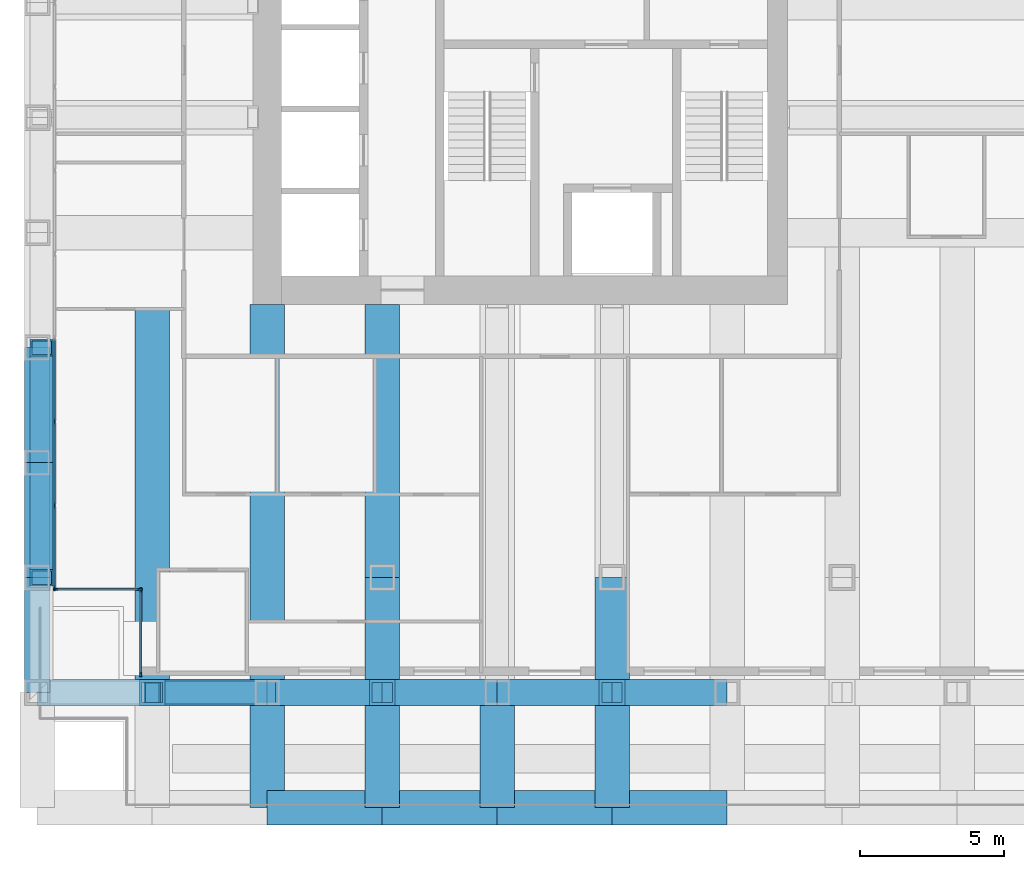
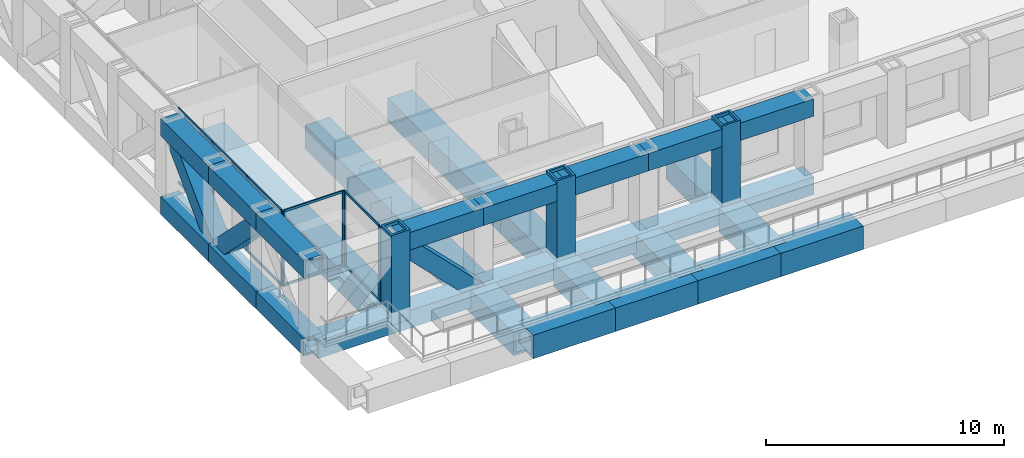
# One storey, part 2 of 18: 27 beams, 23 members, 3 elements without a shape of their own.
"""IFC4 building model written with IfcOpenShell, lengths in metres."""

from ifc_helpers import new_model, si_unit, direction, frame, origin, origin_2d, place, context, subcontext, project, spatial, rectangle, hollow_rectangle, extrude, material, material_profile, profile_set, type_object, element, aggregate, save


model = new_model("IFC4")

# Units and contexts
model_context = context("Model", 3, precision=1e-05, world=origin(), true_north=direction((0.0, 1.0)))
body_context = subcontext(model_context, "Body", "Model", "MODEL_VIEW")
ifc_project = project(units=[si_unit("LENGTHUNIT", "METRE"), si_unit("AREAUNIT", "SQUARE_METRE"), si_unit("VOLUMEUNIT", "CUBIC_METRE"), si_unit("PLANEANGLEUNIT", "RADIAN"), si_unit("MASSUNIT", "GRAM", prefix="KILO")], contexts=[model_context])

# Site, building, storey
site_placement = place(None, origin())
site = spatial("IfcSite", under=ifc_project, at=site_placement, CompositionType="ELEMENT")
building_placement = place(site_placement, origin())
building = spatial("IfcBuilding", under=site, at=building_placement, Name="Rimbunsela Tower", CompositionType="ELEMENT")
storey_placement = place(building_placement, frame((0.0, 0.0, 105.39990234375)))
storey = spatial("IfcBuildingStorey", under=building, at=storey_placement, Name="L25", CompositionType="ELEMENT", Elevation=105.39990234375)

# Beams
ifc_material_1 = material(Name="Steel BJ 55 (fy 410 MPa)", Category="steel")
ifc_material_profile_1 = material_profile(ifc_material_1, hollow_rectangle(XDim=1.199951171875, YDim=1.199951171875, WallThickness=0.10009765625, at=origin_2d()), Name="BOX 1200x1200x100")
ifc_profile_set_1 = profile_set([ifc_material_profile_1], Name="Steel BJ 55 (fy 410 MPa)")
beam_type_1 = type_object("IfcBeamType", Name="Beam BOX 1200x1200x100", PredefinedType="BEAM", material=ifc_profile_set_1)
beam_1_placement = place(storey_placement, frame((18.0, 4.0, -0.75), z_axis=(0.0, 1.0, 0.0), x_axis=(-1.0, 0.0, 0.0)))
element("IfcBeam", 1, at=beam_1_placement, inside=storey, type_object=beam_type_1, Name="Beam B5 L25", PredefinedType="BEAM", context=body_context, shape_type="SweptSolid", body=[
    extrude(hollow_rectangle(XDim=1.199951171875, YDim=1.199951171875, WallThickness=0.10009765625, at=origin_2d()), origin(), (0.0, 0.0, 1.0), 13.5),
])
beam_2_placement = place(storey_placement, frame((22.0, 4.449951171875, -0.75), z_axis=(0.0, 1.0, 0.0), x_axis=(-1.0, 0.0, 0.0)))
element("IfcBeam", 2, at=beam_2_placement, inside=storey, type_object=beam_type_1, Name="Beam B5 L25", PredefinedType="BEAM", context=body_context, shape_type="SweptSolid", body=[
    extrude(hollow_rectangle(XDim=1.199951171875, YDim=1.199951171875, WallThickness=0.10009765625, at=origin_2d()), origin(), (0.0, 0.0, 1.0), 3.550048828125),
])
beam_3_placement = place(storey_placement, frame((22.0, 8.0, -0.75), z_axis=(0.0, 1.0, 0.0), x_axis=(-1.0, 0.0, 0.0)))
element("IfcBeam", 3, at=beam_3_placement, inside=storey, type_object=beam_type_1, Name="Beam B5 L25", PredefinedType="BEAM", context=body_context, shape_type="SweptSolid", body=[
    extrude(hollow_rectangle(XDim=1.199951171875, YDim=1.199951171875, WallThickness=0.10009765625, at=origin_2d()), origin(), (0.0, 0.0, 1.0), 9.5),
])
beam_4_placement = place(storey_placement, frame((30.0, 4.449951171875, -0.75), z_axis=(0.0, 1.0, 0.0), x_axis=(-1.0, 0.0, 0.0)))
element("IfcBeam", 4, at=beam_4_placement, inside=storey, type_object=beam_type_1, Name="Beam B5 L25", PredefinedType="BEAM", context=body_context, shape_type="SweptSolid", body=[
    extrude(hollow_rectangle(XDim=1.199951171875, YDim=1.199951171875, WallThickness=0.10009765625, at=origin_2d()), origin(), (0.0, 0.0, 1.0), 3.550048828125),
])
ifc_material_2 = material(Name="Steel BJ 55 (fy 410 MPa)", Category="steel")
ifc_material_profile_2 = material_profile(ifc_material_2, hollow_rectangle(XDim=1.199951171875, YDim=1.199951171875, WallThickness=0.125, at=origin_2d()), Name="BOX 1200x1200x125")
ifc_profile_set_2 = profile_set([ifc_material_profile_2], Name="Steel BJ 55 (fy 410 MPa)")
beam_type_2 = type_object("IfcBeamType", Name="Beam BOX 1200x1200x125", PredefinedType="BEAM", material=ifc_profile_set_2)
beam_5_placement = place(storey_placement, frame((14.0, 4.449951171875, -0.75), z_axis=(0.0, 1.0, 0.0), x_axis=(-1.0, 0.0, 0.0)))
element("IfcBeam", 5, at=beam_5_placement, inside=storey, type_object=beam_type_2, Name="Beam B4 L25", PredefinedType="BEAM", context=body_context, shape_type="SweptSolid", body=[
    extrude(hollow_rectangle(XDim=1.199951171875, YDim=1.199951171875, WallThickness=0.125, at=origin_2d()), origin(), (0.0, 0.0, 1.0), 14.949951171875),
])
for number, where, z_axis, x_axis, name in (
    (6, (18.0, 0.0, -0.75), (0.0, 1.0, 0.0), (-1.0, 0.0, 0.0), "Beam B4 L25"),
    (7, (18.0, 0.0, -0.75), (1.0, 0.0, 0.0), (0.0, 1.0, 0.0), "Beam B4 L25"),
):
    element("IfcBeam", number, at=place(storey_placement, frame(where, z_axis=z_axis, x_axis=x_axis)), inside=storey, type_object=beam_type_2, Name=name, PredefinedType="BEAM", context=body_context, shape_type="SweptSolid", body=[
        extrude(hollow_rectangle(XDim=1.199951171875, YDim=1.199951171875, WallThickness=0.125, at=origin_2d()), origin(), (0.0, 0.0, 1.0), 4.0),
    ])
beam_6_placement = place(storey_placement, frame((22.0, 0.0, -0.75), z_axis=(0.0, 1.0, 0.0), x_axis=(-1.0, 0.0, 0.0)))
element("IfcBeam", 8, at=beam_6_placement, inside=storey, type_object=beam_type_2, Name="Beam B4 L25", PredefinedType="BEAM", context=body_context, shape_type="SweptSolid", body=[
    extrude(hollow_rectangle(XDim=1.199951171875, YDim=1.199951171875, WallThickness=0.125, at=origin_2d()), origin(), (0.0, 0.0, 1.0), 3.550048828125),
])
for number, where, z_axis, x_axis, name in (
    (9, (22.0, 0.0, -0.75), (1.0, 0.0, 0.0), (0.0, 1.0, 0.0), "Beam B4 L25"),
    (10, (26.0, 0.0, -0.75), (0.0, 1.0, 0.0), (-1.0, 0.0, 0.0), "Beam B4 L25"),
    (11, (26.0, 0.0, -0.75), (1.0, 0.0, 0.0), (0.0, 1.0, 0.0), "Beam B4 L25"),
):
    element("IfcBeam", number, at=place(storey_placement, frame(where, z_axis=z_axis, x_axis=x_axis)), inside=storey, type_object=beam_type_2, Name=name, PredefinedType="BEAM", context=body_context, shape_type="SweptSolid", body=[
        extrude(hollow_rectangle(XDim=1.199951171875, YDim=1.199951171875, WallThickness=0.125, at=origin_2d()), origin(), (0.0, 0.0, 1.0), 4.0),
    ])
beam_7_placement = place(storey_placement, frame((30.0, 0.0, -0.75), z_axis=(0.0, 1.0, 0.0), x_axis=(-1.0, 0.0, 0.0)))
element("IfcBeam", 12, at=beam_7_placement, inside=storey, type_object=beam_type_2, Name="Beam B4 L25", PredefinedType="BEAM", context=body_context, shape_type="SweptSolid", body=[
    extrude(hollow_rectangle(XDim=1.199951171875, YDim=1.199951171875, WallThickness=0.125, at=origin_2d()), origin(), (0.0, 0.0, 1.0), 3.550048828125),
])
beam_8_placement = place(storey_placement, frame((30.0, 0.0, -0.75), z_axis=(1.0, 0.0, 0.0), x_axis=(0.0, 1.0, 0.0)))
element("IfcBeam", 13, at=beam_8_placement, inside=storey, type_object=beam_type_2, Name="Beam B4 L25", PredefinedType="BEAM", context=body_context, shape_type="SweptSolid", body=[
    extrude(hollow_rectangle(XDim=1.199951171875, YDim=1.199951171875, WallThickness=0.125, at=origin_2d()), origin(), (0.0, 0.0, 1.0), 4.0),
])

# Curtain wall, members
ifc_material_3 = material(Name="Aluminium curtain wall", Category="aluminium")
curtain_wall_type_1 = type_object("IfcCurtainWallType", Name="Exoskeleton storey infill", PredefinedType="USERDEFINED", material=ifc_material_3)
curtain_wall_1_placement = place(storey_placement, origin())
curtain_wall_1 = element("IfcCurtainWall", 14, at=curtain_wall_1_placement, inside=storey, type_object=curtain_wall_type_1, Name="Exoskeleton storey infill L25", ObjectType="EXOSKELETON STOREY INFILL", PredefinedType="USERDEFINED")
ifc_material_4 = material(Name="Aluminium mullion", Category="aluminium")
ifc_material_profile_3 = material_profile(ifc_material_4, rectangle(XDim=0.06005859375, YDim=0.159912109375, at=origin_2d()), Name="Mullion 60x160")
ifc_profile_set_3 = profile_set([ifc_material_profile_3], Name="Aluminium mullion")
member_type_1 = type_object("IfcMemberType", Name="Curtain wall mullion 60x160", PredefinedType="MULLION", material=ifc_profile_set_3)
member_1_placement = place(storey_placement, frame((10.60009765625, 13.428466796875, 0.0), z_axis=(0.0, 0.0, 1.0), x_axis=(1.0, 0.0, 0.0)))
member_1 = element("IfcMember", 15, at=member_1_placement, type_object=member_type_1, Name="CW2 mullion 13", PredefinedType="MULLION", context=body_context, shape_type="SweptSolid", body=[
    extrude(rectangle(XDim=0.06005859375, YDim=0.159912109375, at=origin_2d()), origin(), (0.0, 0.0, 1.0), 3.85009765625),
])
member_2_placement = place(storey_placement, frame((10.60009765625, 10.514404296875, 0.0), z_axis=(0.0, 0.0, 1.0), x_axis=(1.0, 0.0, 0.0)))
member_2 = element("IfcMember", 16, at=member_2_placement, type_object=member_type_1, Name="CW2 mullion 14", PredefinedType="MULLION", context=body_context, shape_type="SweptSolid", body=[
    extrude(rectangle(XDim=0.06005859375, YDim=0.159912109375, at=origin_2d()), origin(), (0.0, 0.0, 1.0), 3.85009765625),
])
member_3_placement = place(storey_placement, frame((10.60009765625, 7.6298828125, 0.0), z_axis=(0.0, 0.0, 1.0), x_axis=(1.0, 0.0, 0.0)))
member_3 = element("IfcMember", 17, at=member_3_placement, type_object=member_type_1, Name="CW2 mullion 15", PredefinedType="MULLION", context=body_context, shape_type="SweptSolid", body=[
    extrude(rectangle(XDim=0.06005859375, YDim=0.159912109375, at=origin_2d()), origin(), (0.0, 0.0, 1.0), 3.85009765625),
])

ifc_material_5 = material(Name="Aluminium curtain wall", Category="aluminium")
curtain_wall_type_2 = type_object("IfcCurtainWallType", Name="Corner glazing", PredefinedType="USERDEFINED", material=ifc_material_5)
curtain_wall_2_placement = place(storey_placement, origin())
curtain_wall_2 = element("IfcCurtainWall", 18, at=curtain_wall_2_placement, inside=storey, type_object=curtain_wall_type_2, Name="Corner glazing L25", ObjectType="CORNER GLAZING", PredefinedType="USERDEFINED")
member_4_placement = place(storey_placement, frame((10.6298828125, 7.60009765625, 0.0), z_axis=(0.0, 0.0, 1.0), x_axis=(0.0, 1.0, 0.0)))
member_4 = element("IfcMember", 19, at=member_4_placement, type_object=member_type_1, Name="CW5 mullion 1", PredefinedType="MULLION", context=body_context, shape_type="SweptSolid", body=[
    extrude(rectangle(XDim=0.06005859375, YDim=0.159912109375, at=origin_2d()), origin(), (0.0, 0.0, 1.0), 3.85009765625),
])
member_5_placement = place(storey_placement, frame((13.570068359375, 7.60009765625, 0.0), z_axis=(0.0, 0.0, 1.0), x_axis=(0.0, 1.0, 0.0)))
member_5 = element("IfcMember", 20, at=member_5_placement, type_object=member_type_1, Name="CW5 mullion 2", PredefinedType="MULLION", context=body_context, shape_type="SweptSolid", body=[
    extrude(rectangle(XDim=0.06005859375, YDim=0.159912109375, at=origin_2d()), origin(), (0.0, 0.0, 1.0), 3.85009765625),
])

curtain_wall_3_placement = place(storey_placement, origin())
curtain_wall_3 = element("IfcCurtainWall", 21, at=curtain_wall_3_placement, inside=storey, type_object=curtain_wall_type_2, Name="Corner glazing L25", ObjectType="CORNER GLAZING", PredefinedType="USERDEFINED")
member_6_placement = place(storey_placement, frame((13.60009765625, 7.570068359375, 0.0), z_axis=(0.0, 0.0, 1.0), x_axis=(1.0, 0.0, 0.0)))
member_6 = element("IfcMember", 22, at=member_6_placement, type_object=member_type_1, Name="CW5 mullion 1", PredefinedType="MULLION", context=body_context, shape_type="SweptSolid", body=[
    extrude(rectangle(XDim=0.06005859375, YDim=0.159912109375, at=origin_2d()), origin(), (0.0, 0.0, 1.0), 3.85009765625),
])
member_7_placement = place(storey_placement, frame((13.60009765625, 4.6298828125, 0.0), z_axis=(0.0, 0.0, 1.0), x_axis=(1.0, 0.0, 0.0)))
member_7 = element("IfcMember", 23, at=member_7_placement, type_object=member_type_1, Name="CW5 mullion 2", PredefinedType="MULLION", context=body_context, shape_type="SweptSolid", body=[
    extrude(rectangle(XDim=0.06005859375, YDim=0.159912109375, at=origin_2d()), origin(), (0.0, 0.0, 1.0), 3.85009765625),
])

# Member
ifc_material_6 = material(Name="Aluminium transom", Category="aluminium")
ifc_material_profile_4 = material_profile(ifc_material_6, rectangle(XDim=0.06005859375, YDim=0.1201171875, at=origin_2d()), Name="Transom 60x120")
ifc_profile_set_4 = profile_set([ifc_material_profile_4], Name="Aluminium transom")
member_type_2 = type_object("IfcMemberType", Name="Curtain wall transom 60x120", PredefinedType="USERDEFINED", material=ifc_profile_set_4)
member_8_placement = place(storey_placement, frame((10.60009765625, 16.312744140625, 0.030029296875), z_axis=(0.0, -1.0, 0.0), x_axis=(1.0, 0.0, 0.0)))
member_8 = element("IfcMember", 24, at=member_8_placement, type_object=member_type_2, Name="CW2 transom 12.1", ObjectType="TRANSOM", PredefinedType="USERDEFINED", context=body_context, shape_type="SweptSolid", body=[
    extrude(rectangle(XDim=0.06005859375, YDim=0.1201171875, at=origin_2d()), origin(), (0.0, 0.0, 1.0), 2.854248046875),
])

member_9_placement = place(storey_placement, frame((10.60009765625, 16.312744140625, 3.820068359375), z_axis=(0.0, -1.0, 0.0), x_axis=(1.0, 0.0, 0.0)))
member_9 = element("IfcMember", 25, at=member_9_placement, type_object=member_type_2, Name="CW2 transom 12.2", ObjectType="TRANSOM", PredefinedType="USERDEFINED", context=body_context, shape_type="SweptSolid", body=[
    extrude(rectangle(XDim=0.06005859375, YDim=0.1201171875, at=origin_2d()), origin(), (0.0, 0.0, 1.0), 2.854248046875),
])

member_10_placement = place(storey_placement, frame((10.60009765625, 13.398681640625, 0.030029296875), z_axis=(0.0, -1.0, 0.0), x_axis=(1.0, 0.0, 0.0)))
member_10 = element("IfcMember", 26, at=member_10_placement, type_object=member_type_2, Name="CW2 transom 13.1", ObjectType="TRANSOM", PredefinedType="USERDEFINED", context=body_context, shape_type="SweptSolid", body=[
    extrude(rectangle(XDim=0.06005859375, YDim=0.1201171875, at=origin_2d()), origin(), (0.0, 0.0, 1.0), 2.8544921875),
])

member_11_placement = place(storey_placement, frame((10.60009765625, 13.398681640625, 3.820068359375), z_axis=(0.0, -1.0, 0.0), x_axis=(1.0, 0.0, 0.0)))
member_11 = element("IfcMember", 27, at=member_11_placement, type_object=member_type_2, Name="CW2 transom 13.2", ObjectType="TRANSOM", PredefinedType="USERDEFINED", context=body_context, shape_type="SweptSolid", body=[
    extrude(rectangle(XDim=0.06005859375, YDim=0.1201171875, at=origin_2d()), origin(), (0.0, 0.0, 1.0), 2.8544921875),
])

member_12_placement = place(storey_placement, frame((10.60009765625, 10.484375, 0.030029296875), z_axis=(0.0, -1.0, 0.0), x_axis=(1.0, 0.0, 0.0)))
member_12 = element("IfcMember", 28, at=member_12_placement, type_object=member_type_2, Name="CW2 transom 14.1", ObjectType="TRANSOM", PredefinedType="USERDEFINED", context=body_context, shape_type="SweptSolid", body=[
    extrude(rectangle(XDim=0.06005859375, YDim=0.1201171875, at=origin_2d()), origin(), (0.0, 0.0, 1.0), 2.824462890625),
])

member_13_placement = place(storey_placement, frame((10.60009765625, 10.484375, 3.820068359375), z_axis=(0.0, -1.0, 0.0), x_axis=(1.0, 0.0, 0.0)))
member_13 = element("IfcMember", 29, at=member_13_placement, type_object=member_type_2, Name="CW2 transom 14.2", ObjectType="TRANSOM", PredefinedType="USERDEFINED", context=body_context, shape_type="SweptSolid", body=[
    extrude(rectangle(XDim=0.06005859375, YDim=0.1201171875, at=origin_2d()), origin(), (0.0, 0.0, 1.0), 2.824462890625),
])

aggregate(curtain_wall_1, [member_1, member_2, member_3, member_8, member_9, member_10, member_11, member_12, member_13])

member_14_placement = place(storey_placement, frame((10.659912109375, 7.60009765625, 0.030029296875), z_axis=(1.0, 0.0, 0.0), x_axis=(0.0, 1.0, 0.0)))
member_14 = element("IfcMember", 30, at=member_14_placement, type_object=member_type_2, Name="CW5 transom 1.1", ObjectType="TRANSOM", PredefinedType="USERDEFINED", context=body_context, shape_type="SweptSolid", body=[
    extrude(rectangle(XDim=0.06005859375, YDim=0.1201171875, at=origin_2d()), origin(), (0.0, 0.0, 1.0), 2.880126953125),
])

member_15_placement = place(storey_placement, frame((10.659912109375, 7.60009765625, 3.820068359375), z_axis=(1.0, 0.0, 0.0), x_axis=(0.0, 1.0, 0.0)))
member_15 = element("IfcMember", 31, at=member_15_placement, type_object=member_type_2, Name="CW5 transom 1.2", ObjectType="TRANSOM", PredefinedType="USERDEFINED", context=body_context, shape_type="SweptSolid", body=[
    extrude(rectangle(XDim=0.06005859375, YDim=0.1201171875, at=origin_2d()), origin(), (0.0, 0.0, 1.0), 2.880126953125),
])

aggregate(curtain_wall_2, [member_4, member_5, member_14, member_15])

member_16_placement = place(storey_placement, frame((13.60009765625, 7.5400390625, 0.030029296875), z_axis=(0.0, -1.0, 0.0), x_axis=(1.0, 0.0, 0.0)))
member_16 = element("IfcMember", 32, at=member_16_placement, type_object=member_type_2, Name="CW5 transom 1.1", ObjectType="TRANSOM", PredefinedType="USERDEFINED", context=body_context, shape_type="SweptSolid", body=[
    extrude(rectangle(XDim=0.06005859375, YDim=0.1201171875, at=origin_2d()), origin(), (0.0, 0.0, 1.0), 2.880126953125),
])

member_17_placement = place(storey_placement, frame((13.60009765625, 7.5400390625, 3.820068359375), z_axis=(0.0, -1.0, 0.0), x_axis=(1.0, 0.0, 0.0)))
member_17 = element("IfcMember", 33, at=member_17_placement, type_object=member_type_2, Name="CW5 transom 1.2", ObjectType="TRANSOM", PredefinedType="USERDEFINED", context=body_context, shape_type="SweptSolid", body=[
    extrude(rectangle(XDim=0.06005859375, YDim=0.1201171875, at=origin_2d()), origin(), (0.0, 0.0, 1.0), 2.880126953125),
])

aggregate(curtain_wall_3, [member_6, member_7, member_16, member_17])

# Beams
ifc_material_7 = material(Name="Steel BJ 55 (fy 410 MPa)", Category="steel")
ifc_material_profile_5 = material_profile(ifc_material_7, hollow_rectangle(XDim=0.89990234375, YDim=0.89990234375, WallThickness=0.10009765625, at=origin_2d()), Name="BOX 900x900x100")
ifc_profile_set_5 = profile_set([ifc_material_profile_5], Name="Steel BJ 55 (fy 410 MPa)")
beam_type_3 = type_object("IfcBeamType", Name="Truss chord BOX 900x900x100", PredefinedType="USERDEFINED", material=ifc_profile_set_5)
for number, where, z_axis, x_axis, name in (
    (34, (14.0, 4.0, 3.400146484375), (1.0, 0.0, 0.0), (0.0, 1.0, 0.0), "Truss top chord TC2 S face L25"),
    (35, (18.0, 4.0, 3.400146484375), (1.0, 0.0, 0.0), (0.0, 1.0, 0.0), "Truss top chord TC2 S face L25"),
    (36, (22.0, 4.0, 3.400146484375), (1.0, 0.0, 0.0), (0.0, 1.0, 0.0), "Truss top chord TC2 S face L25"),
    (37, (26.0, 4.0, 3.400146484375), (1.0, 0.0, 0.0), (0.0, 1.0, 0.0), "Truss top chord TC2 S face L25"),
    (38, (30.0, 4.0, 3.400146484375), (1.0, 0.0, 0.0), (0.0, 1.0, 0.0), "Truss top chord TC2 S face L25"),
    (39, (10.0, 4.0, 3.400146484375), (0.0, 1.0, 0.0), (-1.0, 0.0, 0.0), "Truss top chord TC2 W face L25"),
    (40, (10.0, 8.0, 3.400146484375), (0.0, 1.0, 0.0), (-1.0, 0.0, 0.0), "Truss top chord TC2 W face L25"),
    (41, (10.0, 12.0, 3.400146484375), (0.0, 1.0, 0.0), (-1.0, 0.0, 0.0), "Truss top chord TC2 W face L25"),
):
    element("IfcBeam", number, at=place(storey_placement, frame(where, z_axis=z_axis, x_axis=x_axis)), inside=storey, type_object=beam_type_3, Name=name, ObjectType="TRUSS CHORD", PredefinedType="USERDEFINED", context=body_context, shape_type="SweptSolid", body=[
        extrude(hollow_rectangle(XDim=0.89990234375, YDim=0.89990234375, WallThickness=0.10009765625, at=origin_2d()), origin(), (0.0, 0.0, 1.0), 4.0),
    ])
for number, where, z_axis, x_axis, name in (
    (42, (10.0, 4.0, -0.599853515625), (1.0, 0.0, 0.0), (0.0, 1.0, 0.0), "Truss bottom chord TC2 S face L25"),
    (43, (18.0, 4.0, -0.599853515625), (1.0, 0.0, 0.0), (0.0, 1.0, 0.0), "Truss bottom chord TC2 S face L25"),
    (44, (26.0, 4.0, -0.599853515625), (1.0, 0.0, 0.0), (0.0, 1.0, 0.0), "Truss bottom chord TC2 S face L25"),
):
    element("IfcBeam", number, at=place(storey_placement, frame(where, z_axis=z_axis, x_axis=x_axis)), inside=storey, type_object=beam_type_3, Name=name, ObjectType="TRUSS CHORD", PredefinedType="USERDEFINED", context=body_context, shape_type="SweptSolid", body=[
        extrude(hollow_rectangle(XDim=0.89990234375, YDim=0.89990234375, WallThickness=0.10009765625, at=origin_2d()), origin(), (0.0, 0.0, 1.0), 8.0),
    ])
for number, where, z_axis, x_axis, name in (
    (45, (10.0, 4.0, -0.599853515625), (0.0, 1.0, 0.0), (-1.0, 0.0, 0.0), "Truss bottom chord TC2 W face L25"),
    (46, (10.0, 8.0, -0.599853515625), (0.0, 1.0, 0.0), (-1.0, 0.0, 0.0), "Truss bottom chord TC2 W face L25"),
    (47, (10.0, 12.0, -0.599853515625), (0.0, 1.0, 0.0), (-1.0, 0.0, 0.0), "Truss bottom chord TC2 W face L25"),
):
    element("IfcBeam", number, at=place(storey_placement, frame(where, z_axis=z_axis, x_axis=x_axis)), inside=storey, type_object=beam_type_3, Name=name, ObjectType="TRUSS CHORD", PredefinedType="USERDEFINED", context=body_context, shape_type="SweptSolid", body=[
        extrude(hollow_rectangle(XDim=0.89990234375, YDim=0.89990234375, WallThickness=0.10009765625, at=origin_2d()), origin(), (0.0, 0.0, 1.0), 4.0),
    ])

# Members
ifc_material_8 = material(Name="Steel BJ 55 (fy 410 MPa)", Category="steel")
ifc_material_profile_6 = material_profile(ifc_material_8, hollow_rectangle(XDim=0.800048828125, YDim=0.800048828125, WallThickness=0.06005859375, at=origin_2d()), Name="BOX 800x800x60")
ifc_profile_set_6 = profile_set([ifc_material_profile_6], Name="Steel BJ 55 (fy 410 MPa)")
member_type_3 = type_object("IfcMemberType", Name="Truss diagonal BOX 800x800x60", PredefinedType="BRACE", material=ifc_profile_set_6)
for number, where, z_axis, x_axis, name in (
    (48, (14.0, 4.0, 3.400146484375), (0.707106781187, 0.0, -0.707106781187), (0.0, 1.0, 0.0), "Truss diagonal TD2 S face L25"),
    (49, (10.14990234375, 8.0, 3.400146484375), (0.0, 0.707106781187, -0.707106781187), (-1.0, 0.0, 0.0), "Truss diagonal TD2 W face L25"),
    (50, (10.14990234375, 12.0, -0.599853515625), (0.0, 0.707106781187, 0.707106781187), (-1.0, 0.0, 0.0), "Truss diagonal TD2 W face L25"),
):
    element("IfcMember", number, at=place(storey_placement, frame(where, z_axis=z_axis, x_axis=x_axis)), inside=storey, type_object=member_type_3, Name=name, PredefinedType="BRACE", context=body_context, shape_type="SweptSolid", body=[
        extrude(hollow_rectangle(XDim=0.800048828125, YDim=0.800048828125, WallThickness=0.06005859375, at=origin_2d()), origin(), (0.0, 0.0, 1.0), 5.65673828125),
    ])
ifc_material_9 = material(Name="Steel BJ 55 (fy 410 MPa)", Category="steel")
ifc_material_profile_7 = material_profile(ifc_material_9, hollow_rectangle(XDim=0.89990234375, YDim=0.89990234375, WallThickness=0.10009765625, at=origin_2d()), Name="BOX 900x900x100")
ifc_profile_set_7 = profile_set([ifc_material_profile_7], Name="Steel BJ 55 (fy 410 MPa)")
member_type_4 = type_object("IfcMemberType", Name="Truss post BOX 900x900x100", PredefinedType="POST", material=ifc_profile_set_7)
for number, where, z_axis, x_axis, name in (
    (51, (14.0, 4.0, -0.599853515625), (0.0, 0.0, 1.0), (1.0, 0.0, 0.0), "Truss post TP2 6/C L25"),
    (52, (22.0, 4.0, -0.599853515625), (0.0, 0.0, 1.0), (1.0, 0.0, 0.0), "Truss post TP2 8/C L25"),
    (53, (30.0, 4.0, -0.599853515625), (0.0, 0.0, 1.0), (1.0, 0.0, 0.0), "Truss post TP2 10/C L25"),
):
    element("IfcMember", number, at=place(storey_placement, frame(where, z_axis=z_axis, x_axis=x_axis)), inside=storey, type_object=member_type_4, Name=name, PredefinedType="POST", context=body_context, shape_type="SweptSolid", body=[
        extrude(hollow_rectangle(XDim=0.89990234375, YDim=0.89990234375, WallThickness=0.10009765625, at=origin_2d()), origin(), (0.0, 0.0, 1.0), 4.599853515625),
    ])

save(model, "model.ifc")
